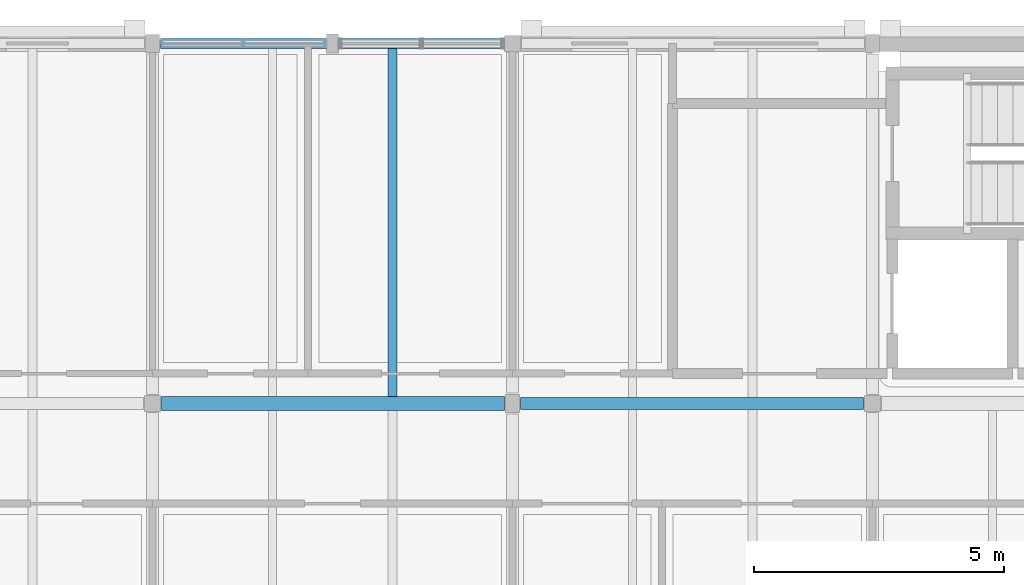
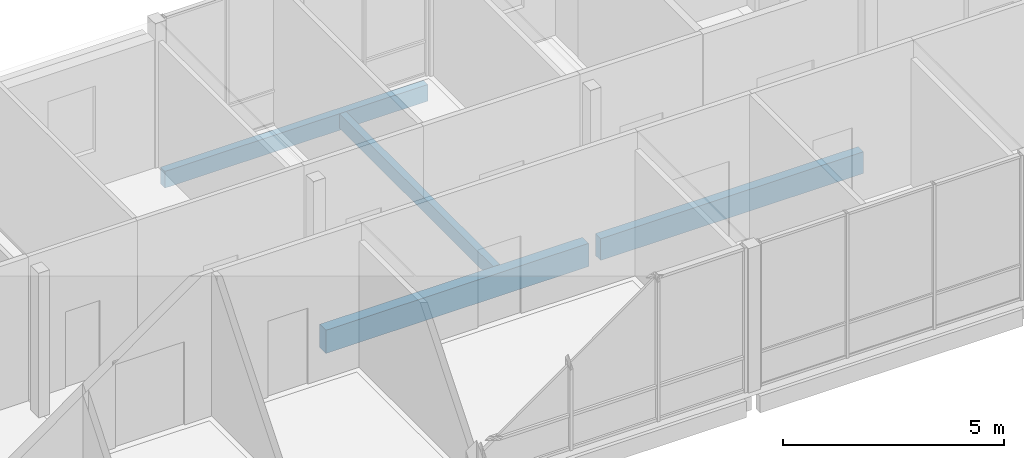
# One storey, part 28 of 115: 4 beams.
"""IFC4 building model written with IfcOpenShell, lengths in metres."""

from ifc_helpers import new_model, si_unit, direction, frame, origin, origin_2d, place, context, subcontext, project, spatial, rectangle, extrude, material, material_profile, profile_set, type_object, element, save


model = new_model("IFC4")

# Units and contexts
model_context = context("Model", 3, precision=1e-05, world=origin(), true_north=direction((0.0, 1.0)))
body_context = subcontext(model_context, "Body", "Model", "MODEL_VIEW")
ifc_project = project(units=[si_unit("LENGTHUNIT", "METRE"), si_unit("AREAUNIT", "SQUARE_METRE"), si_unit("VOLUMEUNIT", "CUBIC_METRE"), si_unit("PLANEANGLEUNIT", "RADIAN"), si_unit("MASSUNIT", "GRAM", prefix="KILO")], contexts=[model_context])

# Site, building, storey
site_placement = place(None, origin())
site = spatial("IfcSite", under=ifc_project, at=site_placement, CompositionType="ELEMENT")
building_placement = place(site_placement, origin())
building = spatial("IfcBuilding", under=site, at=building_placement, Name="Hawrajan Terrace Health Centre", CompositionType="ELEMENT")
storey_placement = place(building_placement, frame((0.0, 0.0, 9.0)))
storey = spatial("IfcBuildingStorey", under=building, at=storey_placement, Name="L02", CompositionType="ELEMENT", Elevation=9.0)

# Beams
ifc_material_1 = material(Name="Glulam GL32h", Category="wood")
ifc_material_profile_1 = material_profile(ifc_material_1, rectangle(XDim=0.239990234375, YDim=0.60009765625, at=origin_2d()), Name="GL BM 240x600")
ifc_profile_set_1 = profile_set([ifc_material_profile_1], Name="Glulam GL32h")
beam_type_1 = type_object("IfcBeamType", Name="GlulamGirder_240x600", PredefinedType="BEAM", material=ifc_profile_set_1)
beam_1_placement = place(storey_placement, frame((40.760009765625, 52.60009765625, -0.5400390625), z_axis=(1.0, 0.0, 0.0), x_axis=(0.0, 1.0, 0.0)))
element("IfcBeam", 1, at=beam_1_placement, inside=storey, type_object=beam_type_1, Name="Beam BM-X-L02-W-06-Y7", PredefinedType="BEAM", context=body_context, shape_type="SweptSolid", body=[
    extrude(rectangle(XDim=0.239990234375, YDim=0.60009765625, at=origin_2d()), origin(), (0.0, 0.0, 1.0), 6.860107421875),
])
ifc_material_profile_2 = material_profile(ifc_material_1, rectangle(XDim=0.280029296875, YDim=0.639892578125, at=origin_2d()), Name="GL BM 280x640")
ifc_profile_set_2 = profile_set([ifc_material_profile_2], Name="Glulam GL32h")
beam_type_2 = type_object("IfcBeamType", Name="GlulamGirder_280x640", PredefinedType="BEAM", material=ifc_profile_set_2)
beam_2_placement = place(storey_placement, frame((33.580078125, 52.60009765625, -0.56005859375), z_axis=(1.0, 0.0, 0.0), x_axis=(0.0, 1.0, 0.0)))
element("IfcBeam", 2, at=beam_2_placement, inside=storey, type_object=beam_type_2, Name="Beam BM-X-L02-W-05-Y7", PredefinedType="BEAM", context=body_context, shape_type="SweptSolid", body=[
    extrude(rectangle(XDim=0.280029296875, YDim=0.639892578125, at=origin_2d()), origin(), (0.0, 0.0, 1.0), 6.85986328125),
])
ifc_material_2 = material(Name="Glulam GL28h", Category="wood")
ifc_material_profile_3 = material_profile(ifc_material_2, rectangle(XDim=0.179931640625, YDim=0.39990234375, at=origin_2d()), Name="GL JST 180x400")
ifc_profile_set_3 = profile_set([ifc_material_profile_3], Name="Glulam GL28h")
beam_type_3 = type_object("IfcBeamType", Name="GlulamJoist_180x400", PredefinedType="JOIST", material=ifc_profile_set_3)
beam_3_placement = place(storey_placement, frame((38.199951171875, 52.739990234375, -0.43994140625), z_axis=(0.0, 1.0, 0.0), x_axis=(-1.0, 0.0, 0.0)))
element("IfcBeam", 3, at=beam_3_placement, inside=storey, type_object=beam_type_3, Name="Secondary joist JST-L02-W-05-7-2", PredefinedType="JOIST", context=body_context, shape_type="SweptSolid", body=[
    extrude(rectangle(XDim=0.179931640625, YDim=0.39990234375, at=origin_2d()), origin(), (0.0, 0.0, 1.0), 6.9599609375),
])
ifc_material_profile_4 = material_profile(ifc_material_1, rectangle(XDim=0.199951171875, YDim=0.4599609375, at=origin_2d()), Name="GL SP 200x460")
ifc_profile_set_4 = profile_set([ifc_material_profile_4], Name="Glulam GL32h")
beam_type_4 = type_object("IfcBeamType", Name="GlulamSpandrel_200x460", PredefinedType="SPANDREL", material=ifc_profile_set_4)
beam_4_placement = place(storey_placement, frame((33.56005859375, 59.800048828125, -0.469970703125), z_axis=(1.0, 0.0, 0.0), x_axis=(0.0, 1.0, 0.0)))
element("IfcBeam", 4, at=beam_4_placement, inside=storey, type_object=beam_type_4, Name="Beam BM-X-L02-W-05-Y8", PredefinedType="SPANDREL", context=body_context, shape_type="SweptSolid", body=[
    extrude(rectangle(XDim=0.199951171875, YDim=0.4599609375, at=origin_2d()), origin(), (0.0, 0.0, 1.0), 6.85986328125),
])

save(model, "model.ifc")
